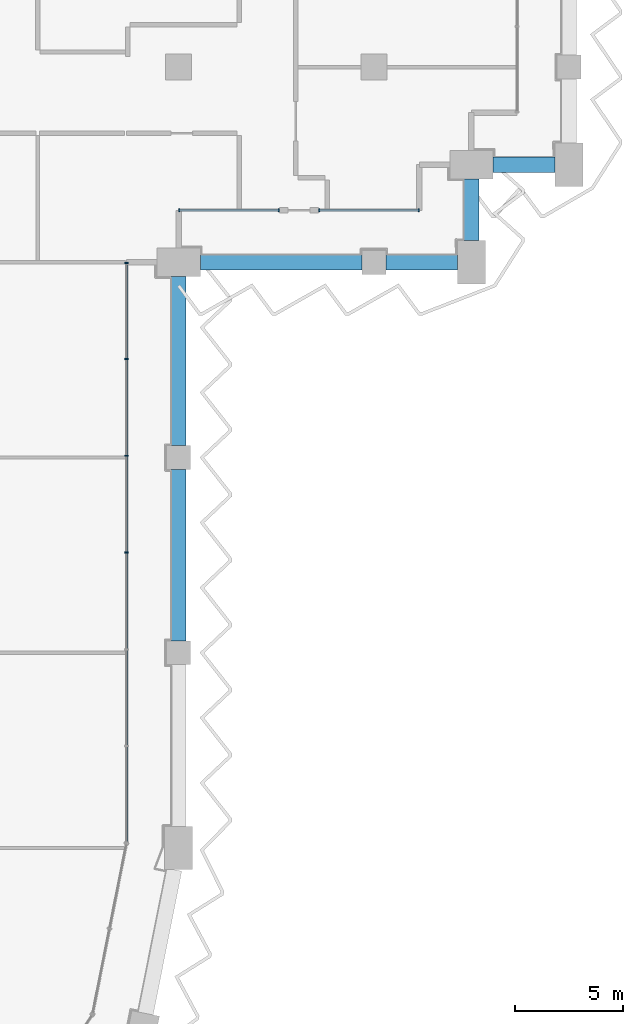
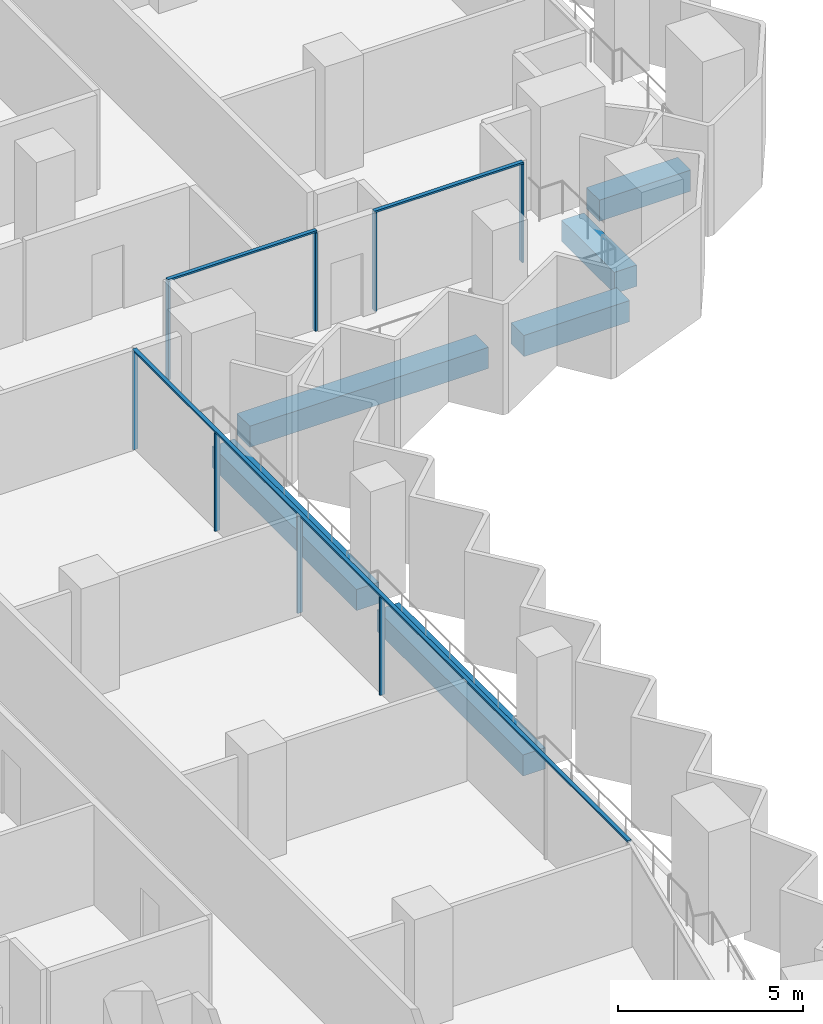
# One storey, part 5 of 23: 11 members, 6 beams, 3 elements without a shape of their own.
"""IFC4 building model written with IfcOpenShell, lengths in metres."""

from ifc_helpers import new_model, si_unit, direction, frame, origin, origin_2d, place, context, subcontext, project, spatial, rectangle, extrude, material, material_profile, profile_set, type_object, element, aggregate, save


model = new_model("IFC4")

# Units and contexts
model_context = context("Model", 3, precision=1e-05, world=origin(), true_north=direction((0.0, 1.0)))
body_context = subcontext(model_context, "Body", "Model", "MODEL_VIEW")
ifc_project = project(units=[si_unit("LENGTHUNIT", "METRE"), si_unit("AREAUNIT", "SQUARE_METRE"), si_unit("VOLUMEUNIT", "CUBIC_METRE"), si_unit("PLANEANGLEUNIT", "RADIAN"), si_unit("MASSUNIT", "GRAM", prefix="KILO")], contexts=[model_context])

# Site, building, storey
site_placement = place(None, origin())
site = spatial("IfcSite", under=ifc_project, at=site_placement, CompositionType="ELEMENT")
building_placement = place(site_placement, origin())
building = spatial("IfcBuilding", under=site, at=building_placement, Name="Hunhe Ridgeline Campus", CompositionType="ELEMENT")
storey_placement = place(building_placement, frame((0.0, 0.0, 167.10009765625)))
storey = spatial("IfcBuildingStorey", under=building, at=storey_placement, Name="L42", CompositionType="ELEMENT", Elevation=167.10009765625)

# Curtain wall, members
ifc_material_1 = material(Name="Aluminium 6063", Category="aluminium")
curtain_wall_type = type_object("IfcCurtainWallType", Name="Curtain wall CW-1", PredefinedType="NOTDEFINED", material=ifc_material_1)
curtain_wall_1_placement = place(storey_placement, origin())
curtain_wall_1 = element("IfcCurtainWall", 1, at=curtain_wall_1_placement, inside=storey, type_object=curtain_wall_type, Name="Curtain wall 11", PredefinedType="NOTDEFINED")
ifc_material_profile_1 = material_profile(ifc_material_1, rectangle(XDim=0.159912109375, YDim=0.06005859375, at=origin_2d()))
ifc_profile_set_1 = profile_set([ifc_material_profile_1], Name="Aluminium 6063")
member_type_1 = type_object("IfcMemberType", Name="CW-1 aluminium mullion", PredefinedType="MULLION", material=ifc_profile_set_1)
member_1_placement = place(storey_placement, frame((42.59912109375, 40.618408203125, 0.0), z_axis=(0.0, 0.0, 1.0), x_axis=(-0.99999999999, 4.408911e-06, 0.0)))
member_1 = element("IfcMember", 2, at=member_1_placement, type_object=member_type_1, Name="CW-1 mullion 4", PredefinedType="MULLION", context=body_context, shape_type="SweptSolid", body=[
    extrude(rectangle(XDim=0.159912109375, YDim=0.06005859375, at=origin_2d()), origin(), (0.0, 0.0, 1.0), 3.239990234375),
])
member_2_placement = place(storey_placement, frame((42.59912109375, 45.0791015625, 0.0), z_axis=(0.0, 0.0, 1.0), x_axis=(-0.99999999999, 4.408911e-06, 0.0)))
member_2 = element("IfcMember", 3, at=member_2_placement, type_object=member_type_1, Name="CW-1 mullion 5", PredefinedType="MULLION", context=body_context, shape_type="SweptSolid", body=[
    extrude(rectangle(XDim=0.159912109375, YDim=0.06005859375, at=origin_2d()), origin(), (0.0, 0.0, 1.0), 3.239990234375),
])
member_3_placement = place(storey_placement, frame((42.59912109375, 49.539794921875, 0.0), z_axis=(0.0, 0.0, 1.0), x_axis=(-0.99999999999, 4.408911e-06, 0.0)))
member_3 = element("IfcMember", 4, at=member_3_placement, type_object=member_type_1, Name="CW-1 mullion 6", PredefinedType="MULLION", context=body_context, shape_type="SweptSolid", body=[
    extrude(rectangle(XDim=0.159912109375, YDim=0.06005859375, at=origin_2d()), origin(), (0.0, 0.0, 1.0), 3.239990234375),
])
member_4_placement = place(storey_placement, frame((42.59912109375, 53.970458984375, 0.0), z_axis=(0.0, 0.0, 1.0), x_axis=(-0.99999999999, 4.408911e-06, 0.0)))
member_4 = element("IfcMember", 5, at=member_4_placement, type_object=member_type_1, Name="CW-1 mullion 7", PredefinedType="MULLION", context=body_context, shape_type="SweptSolid", body=[
    extrude(rectangle(XDim=0.159912109375, YDim=0.06005859375, at=origin_2d()), origin(), (0.0, 0.0, 1.0), 3.239990234375),
])

curtain_wall_2_placement = place(storey_placement, origin())
curtain_wall_2 = element("IfcCurtainWall", 6, at=curtain_wall_2_placement, inside=storey, type_object=curtain_wall_type, Name="Curtain wall 12", PredefinedType="NOTDEFINED")
member_5_placement = place(storey_placement, frame((45.02978515625, 56.40087890625, 0.0), z_axis=(0.0, 0.0, 1.0), x_axis=(-1.72058e-06, 0.999999999999, 0.0)))
member_5 = element("IfcMember", 7, at=member_5_placement, type_object=member_type_1, Name="CW-1 mullion 1", PredefinedType="MULLION", context=body_context, shape_type="SweptSolid", body=[
    extrude(rectangle(XDim=0.159912109375, YDim=0.06005859375, at=origin_2d()), origin(), (0.0, 0.0, 1.0), 3.239990234375),
])
member_6_placement = place(storey_placement, frame((49.619384765625, 56.40087890625, 0.0), z_axis=(0.0, 0.0, 1.0), x_axis=(-1.72058e-06, 0.999999999999, 0.0)))
member_6 = element("IfcMember", 8, at=member_6_placement, type_object=member_type_1, Name="CW-1 mullion 2", PredefinedType="MULLION", context=body_context, shape_type="SweptSolid", body=[
    extrude(rectangle(XDim=0.159912109375, YDim=0.06005859375, at=origin_2d()), origin(), (0.0, 0.0, 1.0), 3.239990234375),
])

curtain_wall_3_placement = place(storey_placement, origin())
curtain_wall_3 = element("IfcCurtainWall", 9, at=curtain_wall_3_placement, inside=storey, type_object=curtain_wall_type, Name="Curtain wall 13", PredefinedType="NOTDEFINED")
member_7_placement = place(storey_placement, frame((51.4794921875, 56.40087890625, 0.0), z_axis=(0.0, 0.0, 1.0), x_axis=(-1.72058e-06, 0.999999999999, 0.0)))
member_7 = element("IfcMember", 10, at=member_7_placement, type_object=member_type_1, Name="CW-1 mullion 1", PredefinedType="MULLION", context=body_context, shape_type="SweptSolid", body=[
    extrude(rectangle(XDim=0.159912109375, YDim=0.06005859375, at=origin_2d()), origin(), (0.0, 0.0, 1.0), 3.239990234375),
])
member_8_placement = place(storey_placement, frame((56.069091796875, 56.40087890625, 0.0), z_axis=(0.0, 0.0, 1.0), x_axis=(-1.72058e-06, 0.999999999999, 0.0)))
member_8 = element("IfcMember", 11, at=member_8_placement, type_object=member_type_1, Name="CW-1 mullion 2", PredefinedType="MULLION", context=body_context, shape_type="SweptSolid", body=[
    extrude(rectangle(XDim=0.159912109375, YDim=0.06005859375, at=origin_2d()), origin(), (0.0, 0.0, 1.0), 3.239990234375),
])

# Member
ifc_material_profile_2 = material_profile(ifc_material_1, rectangle(XDim=0.1201171875, YDim=0.06005859375, at=origin_2d()))
ifc_profile_set_2 = profile_set([ifc_material_profile_2], Name="Aluminium 6063")
member_type_2 = type_object("IfcMemberType", Name="CW-1 aluminium transom", PredefinedType="USERDEFINED", material=ifc_profile_set_2)
member_9_placement = place(storey_placement, frame((42.59912109375, 27.236572265625, 3.27001953125), z_axis=(0.0, 1.0, 0.0), x_axis=(-1.0, 0.0, 0.0)))
member_9 = element("IfcMember", 12, at=member_9_placement, type_object=member_type_2, Name="CW-1 transom 1", ObjectType="TRANSOM", PredefinedType="USERDEFINED", context=body_context, shape_type="SweptSolid", body=[
    extrude(rectangle(XDim=0.1201171875, YDim=0.06005859375, at=origin_2d()), origin(), (0.0, 0.0, 1.0), 26.763916015625),
])

aggregate(curtain_wall_1, [member_9, member_1, member_2, member_3, member_4])

member_10_placement = place(storey_placement, frame((44.999755859375, 56.40087890625, 3.27001953125), z_axis=(1.0, 0.0, 0.0), x_axis=(0.0, 1.0, 0.0)))
member_10 = element("IfcMember", 13, at=member_10_placement, type_object=member_type_2, Name="CW-1 transom 1", ObjectType="TRANSOM", PredefinedType="USERDEFINED", context=body_context, shape_type="SweptSolid", body=[
    extrude(rectangle(XDim=0.1201171875, YDim=0.06005859375, at=origin_2d()), origin(), (0.0, 0.0, 1.0), 4.649658203125),
])

aggregate(curtain_wall_2, [member_10, member_5, member_6])

member_11_placement = place(storey_placement, frame((51.449462890625, 56.40087890625, 3.27001953125), z_axis=(1.0, 0.0, 0.0), x_axis=(0.0, 1.0, 0.0)))
member_11 = element("IfcMember", 14, at=member_11_placement, type_object=member_type_2, Name="CW-1 transom 1", ObjectType="TRANSOM", PredefinedType="USERDEFINED", context=body_context, shape_type="SweptSolid", body=[
    extrude(rectangle(XDim=0.1201171875, YDim=0.06005859375, at=origin_2d()), origin(), (0.0, 0.0, 1.0), 4.649658203125),
])

aggregate(curtain_wall_3, [member_11, member_7, member_8])

# Beams
ifc_material_2 = material(Name="Concrete C60", Category="concrete")
ifc_material_profile_3 = material_profile(ifc_material_2, rectangle(XDim=0.699951171875, YDim=0.699951171875, at=origin_2d()))
ifc_profile_set_3 = profile_set([ifc_material_profile_3], Name="Concrete C60")
beam_type = type_object("IfcBeamType", Name="RC spandrel beam 700x700 Concrete C60", PredefinedType="SPANDREL", material=ifc_profile_set_3)
beam_1_placement = place(storey_placement, frame((45.0, 36.550048828125, -0.60009765625), z_axis=(0.0, 1.0, 0.0), x_axis=(-1.0, 0.0, 0.0)))
element("IfcBeam", 15, at=beam_1_placement, inside=storey, type_object=beam_type, Name="Spandrel beam B2-10 L42", PredefinedType="SPANDREL", context=body_context, shape_type="SweptSolid", body=[
    extrude(rectangle(XDim=0.699951171875, YDim=0.699951171875, at=origin_2d()), origin(), (0.0, 0.0, 1.0), 7.89990234375),
])
beam_2_placement = place(storey_placement, frame((45.0, 45.550048828125, -0.60009765625), z_axis=(0.0, 1.0, 0.0), x_axis=(-1.0, 0.0, 0.0)))
element("IfcBeam", 16, at=beam_2_placement, inside=storey, type_object=beam_type, Name="Spandrel beam B2-11 L42", PredefinedType="SPANDREL", context=body_context, shape_type="SweptSolid", body=[
    extrude(rectangle(XDim=0.699951171875, YDim=0.699951171875, at=origin_2d()), origin(), (0.0, 0.0, 1.0), 7.800048828125),
])
beam_3_placement = place(storey_placement, frame((46.0, 54.0, -0.60009765625), z_axis=(1.0, 0.0, 0.0), x_axis=(0.0, 1.0, 0.0)))
element("IfcBeam", 17, at=beam_3_placement, inside=storey, type_object=beam_type, Name="Spandrel beam B2-12 L42", PredefinedType="SPANDREL", context=body_context, shape_type="SweptSolid", body=[
    extrude(rectangle(XDim=0.699951171875, YDim=0.699951171875, at=origin_2d()), origin(), (0.0, 0.0, 1.0), 7.449951171875),
])
beam_4_placement = place(storey_placement, frame((54.550048828125, 54.0, -0.60009765625), z_axis=(1.0, 0.0, 0.0), x_axis=(0.0, 1.0, 0.0)))
element("IfcBeam", 18, at=beam_4_placement, inside=storey, type_object=beam_type, Name="Spandrel beam B2-13 L42", PredefinedType="SPANDREL", context=body_context, shape_type="SweptSolid", body=[
    extrude(rectangle(XDim=0.699951171875, YDim=0.699951171875, at=origin_2d()), origin(), (0.0, 0.0, 1.0), 3.300048828125),
])
for number, where, z_axis, x_axis, name in (
    (19, (58.5, 55.0, -0.60009765625), (0.0, 1.0, 0.0), (-1.0, 0.0, 0.0), "Spandrel beam B2-14 L42"),
    (20, (59.5, 58.5, -0.60009765625), (1.0, 0.0, 0.0), (0.0, 1.0, 0.0), "Spandrel beam B2-15 L42"),
):
    element("IfcBeam", number, at=place(storey_placement, frame(where, z_axis=z_axis, x_axis=x_axis)), inside=storey, type_object=beam_type, Name=name, PredefinedType="SPANDREL", context=body_context, shape_type="SweptSolid", body=[
        extrude(rectangle(XDim=0.699951171875, YDim=0.699951171875, at=origin_2d()), origin(), (0.0, 0.0, 1.0), 2.85009765625),
    ])

save(model, "model.ifc")
